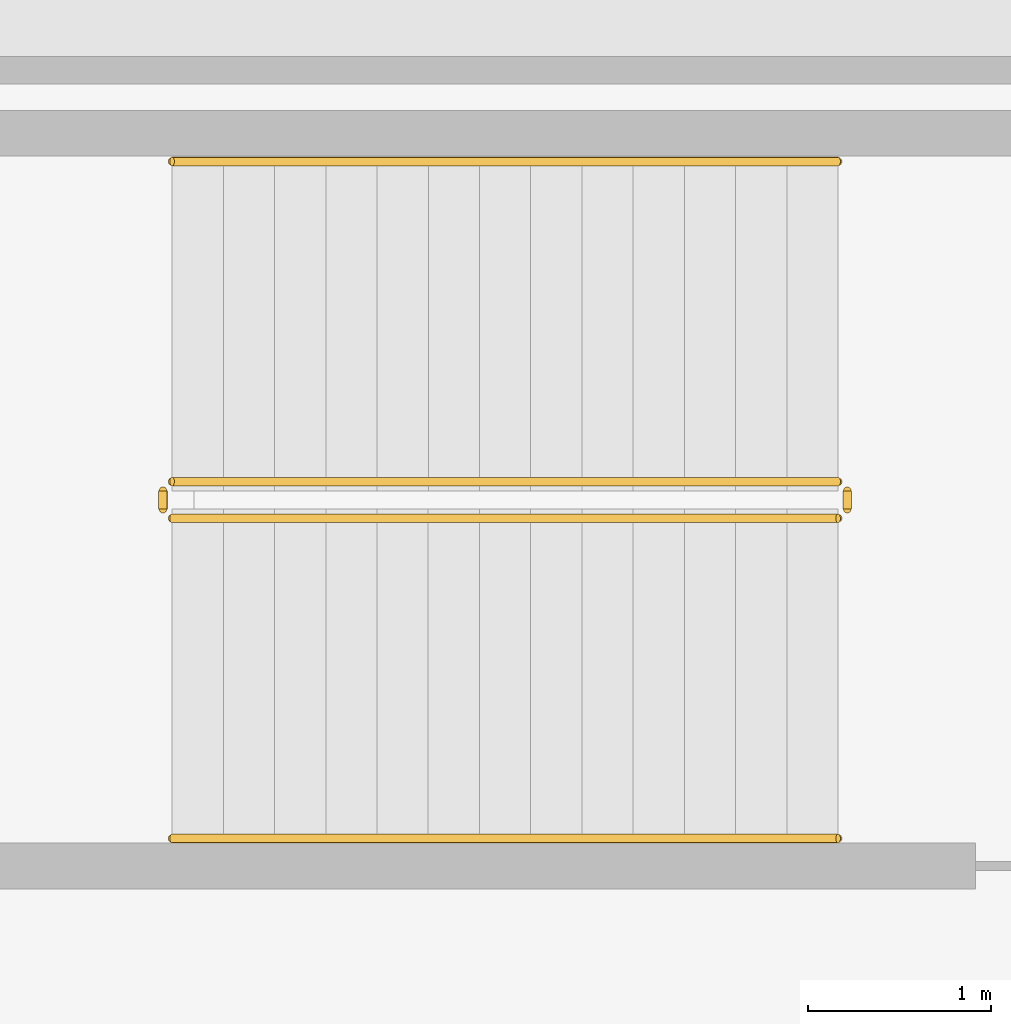
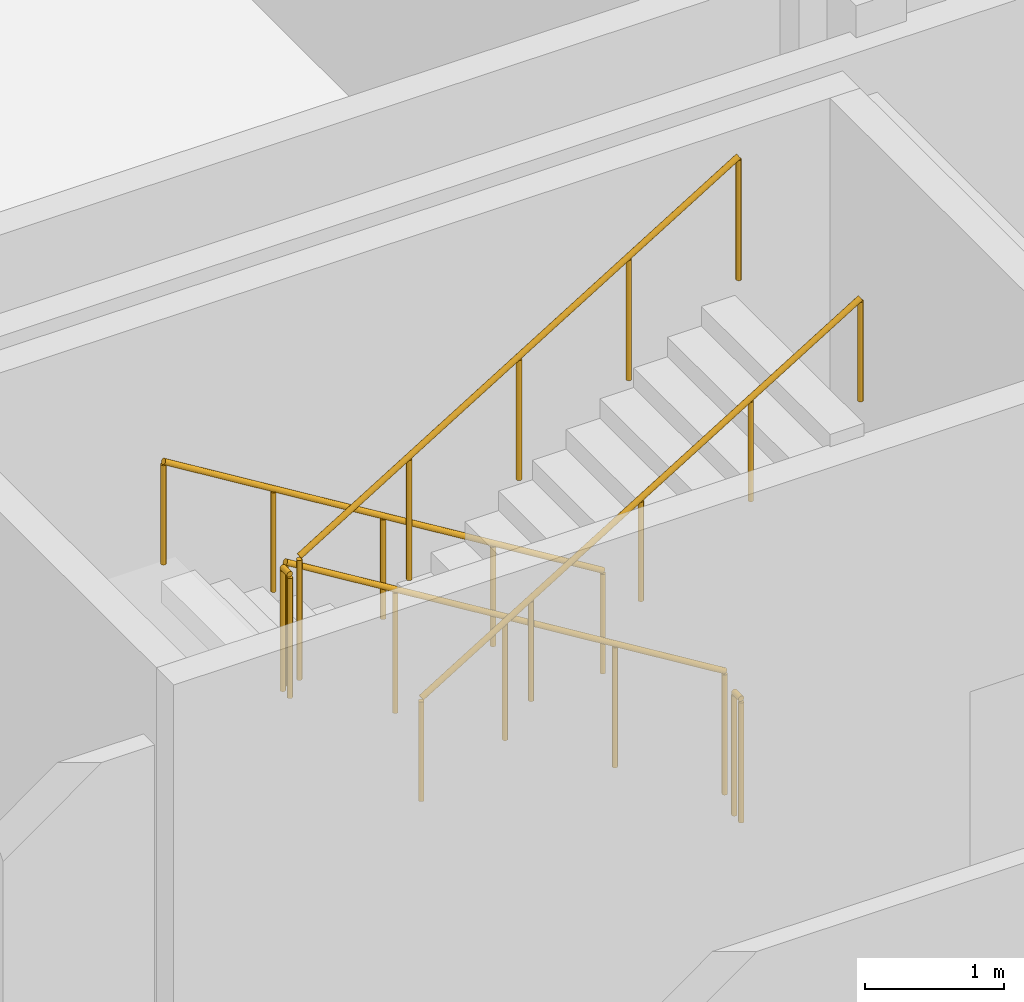
# One storey, part 143 of 151: 6 railings.
"""IFC4 building model written with IfcOpenShell, lengths in metres."""

from ifc_helpers import new_model, si_unit, direction, frame, origin, origin_2d, place, context, subcontext, project, spatial, circle, extrude, material, layer, layer_set, type_object, element, save


model = new_model("IFC4")

# Units and contexts
model_context = context("Model", 3, precision=1e-05, world=origin(), true_north=direction((0.0, 1.0)))
body_context = subcontext(model_context, "Body", "Model", "MODEL_VIEW")
ifc_project = project(units=[si_unit("LENGTHUNIT", "METRE"), si_unit("AREAUNIT", "SQUARE_METRE"), si_unit("VOLUMEUNIT", "CUBIC_METRE"), si_unit("PLANEANGLEUNIT", "RADIAN"), si_unit("MASSUNIT", "GRAM", prefix="KILO")], contexts=[model_context])

# Site, building, storey
site_placement = place(None, origin())
site = spatial("IfcSite", under=ifc_project, at=site_placement, CompositionType="ELEMENT")
building_placement = place(site_placement, origin())
building = spatial("IfcBuilding", under=site, at=building_placement, Name="Chiffa Square Polytechnic", CompositionType="ELEMENT")
storey_placement = place(building_placement, origin())
storey = spatial("IfcBuildingStorey", under=building, at=storey_placement, Name="L00", CompositionType="ELEMENT", Elevation=0.0)

# Railings
ifc_material = material(Name="Steel S355", Category="steel")
ifc_layer_1 = layer(ifc_material, 0.050048828125, Name="Steel S355")
ifc_layer_set_1 = layer_set([ifc_layer_1], Name="Steel S355")
railing_type_1 = type_object("IfcRailingType", Name="RL-STAIR-GUARD", PredefinedType="GUARDRAIL", material=ifc_layer_set_1)
railing_1_placement = place(storey_placement, frame((127.550048828125, 91.64990234375, 0.17138671875)))
element("IfcRailing", 1, at=railing_1_placement, inside=storey, type_object=railing_type_1, Name="L00 ST-V2A stair guard 1", PredefinedType="GUARDRAIL", context=body_context, shape_type="SweptSolid", body=[
    extrude(circle(Radius=0.02392578125, at=origin_2d()), frame((0.0, 0.0, 1.076171875), z_axis=(-0.852865859571, 0.0, 0.52213008492), x_axis=(0.0, -1.0, 0.0)), (0.0, 0.0, 1.0), 4.26806640625),
    extrude(circle(Radius=0.02099609375, at=origin_2d()), origin(), (0.0, 0.0, 1.0), 1.052001953125),
    extrude(circle(Radius=0.02099609375, at=origin_2d()), frame((-0.91015625, 0.0, 0.55712890625)), (0.0, 0.0, 1.0), 1.052001953125),
    extrude(circle(Radius=0.02099609375, at=origin_2d()), frame((-1.820068359375, 0.0, 1.1142578125)), (0.0, 0.0, 1.0), 1.052001953125),
    extrude(circle(Radius=0.02099609375, at=origin_2d()), frame((-2.72998046875, 0.0, 1.67138671875)), (0.0, 0.0, 1.0), 1.052001953125),
    extrude(circle(Radius=0.02099609375, at=origin_2d()), frame((-3.64013671875, 0.0, 2.228515625)), (0.0, 0.0, 1.0), 1.052001953125),
])
railing_2_placement = place(storey_placement, frame((123.860107421875, 91.60009765625, 2.39990234375)))
element("IfcRailing", 2, at=railing_2_placement, inside=storey, type_object=railing_type_1, Name="L00 ST-V2A stair guard 2", PredefinedType="GUARDRAIL", context=body_context, shape_type="SweptSolid", body=[
    extrude(circle(Radius=0.02392578125, at=origin_2d()), frame((0.0, 0.0, 1.076171875), z_axis=(0.0, -1.0, 0.0), x_axis=(1.0, 0.0, 0.0)), (0.0, 0.0, 1.0), 0.10009765625),
    extrude(circle(Radius=0.02099609375, at=origin_2d()), origin(), (0.0, 0.0, 1.0), 1.052001953125),
    extrude(circle(Radius=0.02099609375, at=origin_2d()), frame((0.0, -0.10009765625, 0.0)), (0.0, 0.0, 1.0), 1.052001953125),
])
railing_3_placement = place(storey_placement, frame((123.909912109375, 91.449951171875, 2.571533203125)))
element("IfcRailing", 3, at=railing_3_placement, inside=storey, type_object=railing_type_1, Name="L00 ST-V2A stair guard 3", PredefinedType="GUARDRAIL", context=body_context, shape_type="SweptSolid", body=[
    extrude(circle(Radius=0.02392578125, at=origin_2d()), frame((0.0, 0.0, 1.076171875), z_axis=(0.852865859571, 0.0, 0.52213008492), x_axis=(0.0, 1.0, 0.0)), (0.0, 0.0, 1.0), 4.26806640625),
    extrude(circle(Radius=0.02099609375, at=origin_2d()), origin(), (0.0, 0.0, 1.0), 1.052001953125),
    extrude(circle(Radius=0.02099609375, at=origin_2d()), frame((0.91015625, 0.0, 0.55712890625)), (0.0, 0.0, 1.0), 1.052001953125),
    extrude(circle(Radius=0.02099609375, at=origin_2d()), frame((1.820068359375, 0.0, 1.1142578125)), (0.0, 0.0, 1.0), 1.052001953125),
    extrude(circle(Radius=0.02099609375, at=origin_2d()), frame((2.72998046875, 0.0, 1.67138671875)), (0.0, 0.0, 1.0), 1.052001953125),
    extrude(circle(Radius=0.02099609375, at=origin_2d()), frame((3.64013671875, 0.0, 2.228515625)), (0.0, 0.0, 1.0), 1.052001953125),
])
railing_4_placement = place(storey_placement, frame((127.60009765625, 91.60009765625, 0.0)))
element("IfcRailing", 4, at=railing_4_placement, inside=storey, type_object=railing_type_1, Name="L00 ST-V2A stair guard 4", PredefinedType="GUARDRAIL", context=body_context, shape_type="SweptSolid", body=[
    extrude(circle(Radius=0.02392578125, at=origin_2d()), frame((0.0, 0.0, 1.076171875), z_axis=(0.0, -1.0, 0.0), x_axis=(1.0, 0.0, 0.0)), (0.0, 0.0, 1.0), 0.10009765625),
    extrude(circle(Radius=0.02099609375, at=origin_2d()), origin(), (0.0, 0.0, 1.0), 1.052001953125),
    extrude(circle(Radius=0.02099609375, at=origin_2d()), frame((0.0, -0.10009765625, 0.0)), (0.0, 0.0, 1.0), 1.052001953125),
])
ifc_layer_2 = layer(ifc_material, 0.044921875, Name="Steel S355")
ifc_layer_set_2 = layer_set([ifc_layer_2], Name="Steel S355")
railing_type_2 = type_object("IfcRailingType", Name="RL-STAIR-HAND", PredefinedType="HANDRAIL", material=ifc_layer_set_2)
railing_5_placement = place(storey_placement, frame((127.550048828125, 93.39990234375, 0.17138671875)))
element("IfcRailing", 5, at=railing_5_placement, inside=storey, type_object=railing_type_2, Name="L00 ST-V2A stair handrail 1", PredefinedType="HANDRAIL", context=body_context, shape_type="SweptSolid", body=[
    extrude(circle(Radius=0.02392578125, at=origin_2d()), frame((0.0, 0.0, 0.89599609375), z_axis=(-0.852865859571, 0.0, 0.52213008492), x_axis=(0.0, -1.0, 0.0)), (0.0, 0.0, 1.0), 4.26806640625),
    extrude(circle(Radius=0.02099609375, at=origin_2d()), origin(), (0.0, 0.0, 1.0), 0.871826171875),
    extrude(circle(Radius=0.02099609375, at=origin_2d()), frame((-0.91015625, 0.0, 0.55712890625)), (0.0, 0.0, 1.0), 0.871826171875),
    extrude(circle(Radius=0.02099609375, at=origin_2d()), frame((-1.820068359375, 0.0, 1.1142578125)), (0.0, 0.0, 1.0), 0.871826171875),
    extrude(circle(Radius=0.02099609375, at=origin_2d()), frame((-2.72998046875, 0.0, 1.67138671875)), (0.0, 0.0, 1.0), 0.871826171875),
    extrude(circle(Radius=0.02099609375, at=origin_2d()), frame((-3.64013671875, 0.0, 2.228515625)), (0.0, 0.0, 1.0), 0.871826171875),
])
railing_6_placement = place(storey_placement, frame((123.909912109375, 89.699951171875, 2.571533203125)))
element("IfcRailing", 6, at=railing_6_placement, inside=storey, type_object=railing_type_2, Name="L00 ST-V2A stair handrail 2", PredefinedType="HANDRAIL", context=body_context, shape_type="SweptSolid", body=[
    extrude(circle(Radius=0.02392578125, at=origin_2d()), frame((0.0, 0.0, 0.89599609375), z_axis=(0.852865859571, 0.0, 0.52213008492), x_axis=(0.0, 1.0, 0.0)), (0.0, 0.0, 1.0), 4.26806640625),
    extrude(circle(Radius=0.02099609375, at=origin_2d()), origin(), (0.0, 0.0, 1.0), 0.871826171875),
    extrude(circle(Radius=0.02099609375, at=origin_2d()), frame((0.91015625, 0.0, 0.55712890625)), (0.0, 0.0, 1.0), 0.871826171875),
    extrude(circle(Radius=0.02099609375, at=origin_2d()), frame((1.820068359375, 0.0, 1.1142578125)), (0.0, 0.0, 1.0), 0.871826171875),
    extrude(circle(Radius=0.02099609375, at=origin_2d()), frame((2.72998046875, 0.0, 1.67138671875)), (0.0, 0.0, 1.0), 0.871826171875),
    extrude(circle(Radius=0.02099609375, at=origin_2d()), frame((3.64013671875, 0.0, 2.228515625)), (0.0, 0.0, 1.0), 0.871826171875),
])

save(model, "model.ifc")
